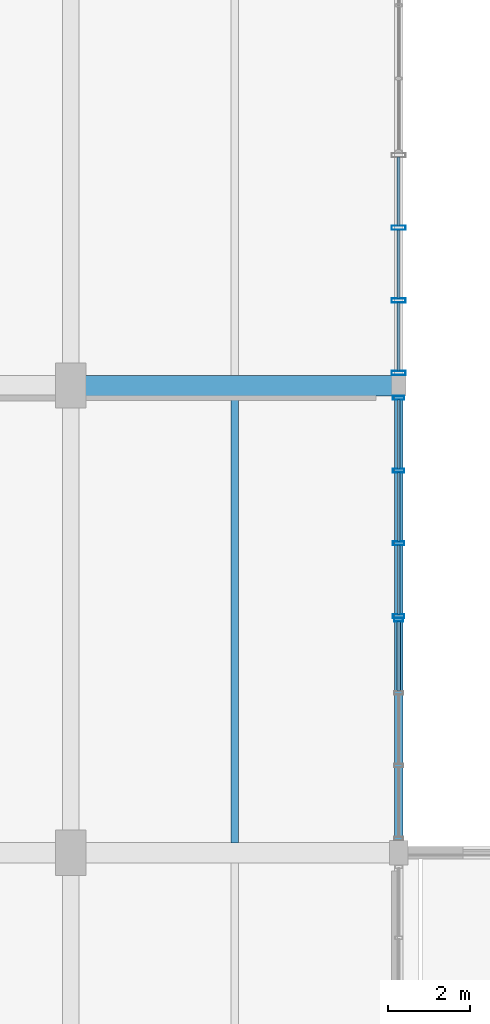
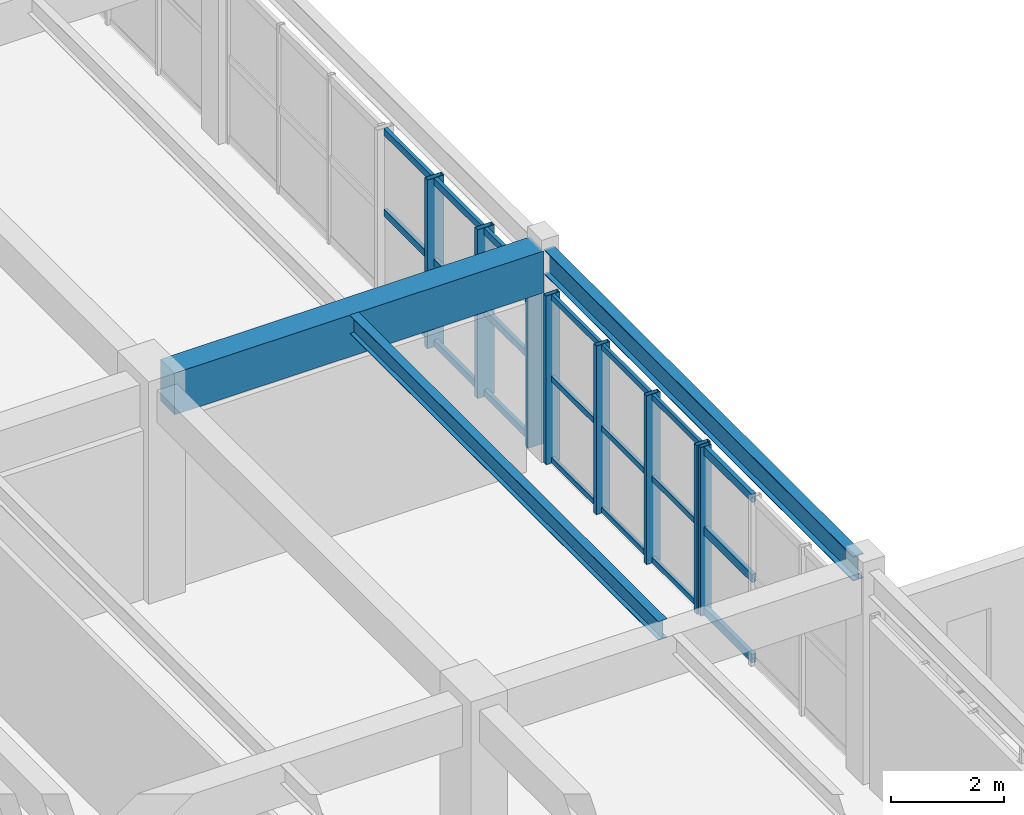
# One storey, part 22 of 106: 29 members, 3 beams, 3 elements without a shape of their own.
"""IFC4 building model written with IfcOpenShell, lengths in metres."""

from ifc_helpers import new_model, si_unit, direction, frame, origin, origin_2d, place, context, subcontext, project, spatial, rectangle, hollow_rectangle, i_section, extrude, material, layer, layer_set, material_profile, profile_set, type_object, element, aggregate, save


model = new_model("IFC4")

# Units and contexts
model_context = context("Model", 3, precision=1e-05, world=origin(), true_north=direction((0.0, 1.0)))
body_context = subcontext(model_context, "Body", "Model", "MODEL_VIEW")
ifc_project = project(units=[si_unit("LENGTHUNIT", "METRE"), si_unit("AREAUNIT", "SQUARE_METRE"), si_unit("VOLUMEUNIT", "CUBIC_METRE"), si_unit("PLANEANGLEUNIT", "RADIAN"), si_unit("MASSUNIT", "GRAM", prefix="KILO"), si_unit("POWERUNIT", "WATT"), si_unit("THERMODYNAMICTEMPERATUREUNIT", "KELVIN")], contexts=[model_context])

# Site, building, storey
site_placement = place(None, origin())
site = spatial("IfcSite", under=ifc_project, at=site_placement, CompositionType="ELEMENT")
building_placement = place(site_placement, origin())
building = spatial("IfcBuilding", under=site, at=building_placement, Name="Kelmbourne Parkland Aquatics Centre", CompositionType="ELEMENT")
storey_placement = place(building_placement, frame((0.0, 0.0, 5.39990234375)))
storey = spatial("IfcBuildingStorey", under=building, at=storey_placement, Name="L01", CompositionType="ELEMENT", Elevation=5.39990234375)

# Beams
ifc_material_1 = material(Name="Concrete C40/50", Category="concrete")
ifc_material_profile_1 = material_profile(ifc_material_1, rectangle(XDim=0.5, YDim=0.89990234375, at=origin_2d()), Name="RC 500x900")
ifc_profile_set_1 = profile_set([ifc_material_profile_1], Name="Concrete C40/50")
beam_type_1 = type_object("IfcBeamType", Name="BM-G03", PredefinedType="BEAM", material=ifc_profile_set_1)
beam_1_placement = place(storey_placement, frame((32.330078125, 23.60009765625, 4.110107421875), z_axis=(1.0, 0.0, 0.0), x_axis=(0.0, 1.0, 0.0)))
element("IfcBeam", 1, at=beam_1_placement, inside=storey, type_object=beam_type_1, Name="Primary girder E-F Grid 04 (L02)", PredefinedType="BEAM", context=body_context, shape_type="SweptSolid", body=[
    extrude(rectangle(XDim=0.5, YDim=0.89990234375, at=origin_2d()), origin(), (0.0, 0.0, 1.0), 7.5400390625),
])
ifc_material_2 = material(Name="Structural steel AS/NZS 3679.1 Grade 300", Category="steel")
ifc_material_profile_2 = material_profile(ifc_material_2, i_section(OverallWidth=0.177978515625, OverallDepth=0.406005859375, WebThickness=0.0078125, FlangeThickness=0.0126953125, at=origin_2d()), Name="410UB59.7")
ifc_profile_set_2 = profile_set([ifc_material_profile_2], Name="Structural steel AS/NZS 3679.1 Grade 300")
beam_type_2 = type_object("IfcBeamType", Name="BM-J01", PredefinedType="JOIST", material=ifc_profile_set_2)
beam_2_placement = place(storey_placement, frame((36.0, 12.44189453125, 4.357177734375), z_axis=(0.0, 1.0, 0.0), x_axis=(-1.0, 0.0, 0.0)))
element("IfcBeam", 2, at=beam_2_placement, inside=storey, type_object=beam_type_2, Name="Secondary floor joist E-F/03-04 #1 (L02)", PredefinedType="JOIST", context=body_context, shape_type="SweptSolid", body=[
    extrude(i_section(OverallWidth=0.177978515625, OverallDepth=0.406005859375, WebThickness=0.0078125, FlangeThickness=0.0126953125, at=origin_2d()), origin(), (0.0, 0.0, 1.0), 10.916015625),
])
ifc_material_profile_3 = material_profile(ifc_material_2, i_section(OverallWidth=0.208984375, OverallDepth=0.532958984375, WebThickness=0.01025390625, FlangeThickness=0.015625, at=origin_2d()), Name="530UB92.4")
ifc_profile_set_3 = profile_set([ifc_material_profile_3], Name="Structural steel AS/NZS 3679.1 Grade 300")
beam_type_3 = type_object("IfcBeamType", Name="BM-SP02", PredefinedType="SPANDREL", material=ifc_profile_set_3)
beam_3_placement = place(storey_placement, frame((40.0, 12.455078125, 4.293701171875), z_axis=(0.0, 1.0, 0.0), x_axis=(-1.0, 0.0, 0.0)))
element("IfcBeam", 3, at=beam_3_placement, inside=storey, type_object=beam_type_3, Name="Perimeter spandrel 03-04 Grid F (L02)", PredefinedType="SPANDREL", context=body_context, shape_type="SweptSolid", body=[
    extrude(i_section(OverallWidth=0.208984375, OverallDepth=0.532958984375, WebThickness=0.01025390625, FlangeThickness=0.015625, at=origin_2d()), origin(), (0.0, 0.0, 1.0), 10.93994140625),
])

# Curtain wall, member
ifc_material_3 = material(Name="Thermally broken anodised aluminium framing", Category="aluminium")
ifc_layer_1 = layer(ifc_material_3, 0.179931640625)
ifc_layer_set_1 = layer_set([ifc_layer_1], Name="Thermally broken anodised aluminium framing")
curtain_wall_type_1 = type_object("IfcCurtainWallType", Name="CW-11", PredefinedType="NOTDEFINED", material=ifc_layer_set_1)
curtain_wall_1_placement = place(storey_placement, origin())
curtain_wall_1 = element("IfcCurtainWall", 4, at=curtain_wall_1_placement, inside=storey, type_object=curtain_wall_type_1, Name="Facade curtain wall CW-L01-227", PredefinedType="NOTDEFINED")
ifc_material_profile_4 = material_profile(ifc_material_3, hollow_rectangle(XDim=0.0849609375, YDim=0.219970703125, WallThickness=0.0048828125, at=origin_2d()), Name="CW-M 85x220")
ifc_profile_set_4 = profile_set([ifc_material_profile_4], Name="Thermally broken anodised aluminium framing")
member_type_1 = type_object("IfcMemberType", Name="MB-MUL-3", PredefinedType="MULLION", material=ifc_profile_set_4)
member_1_placement = place(storey_placement, frame((40.0, 17.882568359375, 0.0), z_axis=(0.0, 0.0, 1.0), x_axis=(0.0, 1.0, 0.0)))
member_1 = element("IfcMember", 5, at=member_1_placement, type_object=member_type_1, Name="CW-L01-227 mullion 3", PredefinedType="MULLION", context=body_context, shape_type="SweptSolid", body=[
    extrude(hollow_rectangle(XDim=0.0849609375, YDim=0.219970703125, WallThickness=0.0048828125, at=origin_2d()), origin(), (0.0, 0.0, 1.0), 3.64501953125),
])

# Curtain wall, members
ifc_layer_2 = layer(ifc_material_3, 0.179931640625)
ifc_layer_set_2 = layer_set([ifc_layer_2], Name="Thermally broken anodised aluminium framing")
curtain_wall_type_2 = type_object("IfcCurtainWallType", Name="CW-12", PredefinedType="NOTDEFINED", material=ifc_layer_set_2)
curtain_wall_2_placement = place(storey_placement, origin())
curtain_wall_2 = element("IfcCurtainWall", 6, at=curtain_wall_2_placement, inside=storey, type_object=curtain_wall_type_2, Name="Facade curtain wall CW-L01-228", PredefinedType="NOTDEFINED")
ifc_material_profile_5 = material_profile(ifc_material_3, hollow_rectangle(XDim=0.094970703125, YDim=0.280029296875, WallThickness=0.005615234375, at=origin_2d()), Name="CW-M 95x280")
ifc_profile_set_5 = profile_set([ifc_material_profile_5], Name="Thermally broken anodised aluminium framing")
member_type_2 = type_object("IfcMemberType", Name="MB-MUL-4", PredefinedType="MULLION", material=ifc_profile_set_5)
member_2_placement = place(storey_placement, frame((40.0, 17.972412109375, 0.0), z_axis=(0.0, 0.0, 1.0), x_axis=(0.0, 1.0, 0.0)))
member_2 = element("IfcMember", 7, at=member_2_placement, type_object=member_type_2, Name="CW-L01-228 mullion 0", PredefinedType="MULLION", context=body_context, shape_type="SweptSolid", body=[
    extrude(hollow_rectangle(XDim=0.094970703125, YDim=0.280029296875, WallThickness=0.005615234375, at=origin_2d()), origin(), (0.0, 0.0, 1.0), 3.64501953125),
])
member_3_placement = place(storey_placement, frame((40.0, 19.74853515625, 0.0), z_axis=(0.0, 0.0, 1.0), x_axis=(0.0, 1.0, 0.0)))
member_3 = element("IfcMember", 8, at=member_3_placement, type_object=member_type_2, Name="CW-L01-228 mullion 1", PredefinedType="MULLION", context=body_context, shape_type="SweptSolid", body=[
    extrude(hollow_rectangle(XDim=0.094970703125, YDim=0.280029296875, WallThickness=0.005615234375, at=origin_2d()), origin(), (0.0, 0.0, 1.0), 3.64501953125),
])
member_4_placement = place(storey_placement, frame((40.0, 21.5244140625, 0.0), z_axis=(0.0, 0.0, 1.0), x_axis=(0.0, 1.0, 0.0)))
member_4 = element("IfcMember", 9, at=member_4_placement, type_object=member_type_2, Name="CW-L01-228 mullion 2", PredefinedType="MULLION", context=body_context, shape_type="SweptSolid", body=[
    extrude(hollow_rectangle(XDim=0.094970703125, YDim=0.280029296875, WallThickness=0.005615234375, at=origin_2d()), origin(), (0.0, 0.0, 1.0), 3.64501953125),
])
member_5_placement = place(storey_placement, frame((40.0, 23.300537109375, 0.0), z_axis=(0.0, 0.0, 1.0), x_axis=(0.0, 1.0, 0.0)))
member_5 = element("IfcMember", 10, at=member_5_placement, type_object=member_type_2, Name="CW-L01-228 mullion 3", PredefinedType="MULLION", context=body_context, shape_type="SweptSolid", body=[
    extrude(hollow_rectangle(XDim=0.094970703125, YDim=0.280029296875, WallThickness=0.005615234375, at=origin_2d()), origin(), (0.0, 0.0, 1.0), 3.64501953125),
])

ifc_layer_3 = layer(ifc_material_3, 0.179931640625)
ifc_layer_set_3 = layer_set([ifc_layer_3], Name="Thermally broken anodised aluminium framing")
curtain_wall_type_3 = type_object("IfcCurtainWallType", Name="CW-13", PredefinedType="NOTDEFINED", material=ifc_layer_set_3)
curtain_wall_3_placement = place(storey_placement, origin())
curtain_wall_3 = element("IfcCurtainWall", 11, at=curtain_wall_3_placement, inside=storey, type_object=curtain_wall_type_3, Name="Facade curtain wall CW-L01-229", PredefinedType="NOTDEFINED")
ifc_material_profile_6 = material_profile(ifc_material_3, hollow_rectangle(XDim=0.10498046875, YDim=0.340087890625, WallThickness=0.006103515625, at=origin_2d()), Name="CW-M 105x340")
ifc_profile_set_6 = profile_set([ifc_material_profile_6], Name="Thermally broken anodised aluminium framing")
member_type_3 = type_object("IfcMemberType", Name="MB-MUL-5", PredefinedType="MULLION", material=ifc_profile_set_6)
member_6_placement = place(storey_placement, frame((40.0, 23.904541015625, 0.0), z_axis=(0.0, 0.0, 1.0), x_axis=(0.0, 1.0, 0.0)))
member_6 = element("IfcMember", 12, at=member_6_placement, type_object=member_type_3, Name="CW-L01-229 mullion 0", PredefinedType="MULLION", context=body_context, shape_type="SweptSolid", body=[
    extrude(hollow_rectangle(XDim=0.10498046875, YDim=0.340087890625, WallThickness=0.006103515625, at=origin_2d()), origin(), (0.0, 0.0, 1.0), 3.64501953125),
])
member_7_placement = place(storey_placement, frame((40.0, 25.67724609375, 0.0), z_axis=(0.0, 0.0, 1.0), x_axis=(0.0, 1.0, 0.0)))
member_7 = element("IfcMember", 13, at=member_7_placement, type_object=member_type_3, Name="CW-L01-229 mullion 1", PredefinedType="MULLION", context=body_context, shape_type="SweptSolid", body=[
    extrude(hollow_rectangle(XDim=0.10498046875, YDim=0.340087890625, WallThickness=0.006103515625, at=origin_2d()), origin(), (0.0, 0.0, 1.0), 3.64501953125),
])
member_8_placement = place(storey_placement, frame((40.0, 27.44970703125, 0.0), z_axis=(0.0, 0.0, 1.0), x_axis=(0.0, 1.0, 0.0)))
member_8 = element("IfcMember", 14, at=member_8_placement, type_object=member_type_3, Name="CW-L01-229 mullion 2", PredefinedType="MULLION", context=body_context, shape_type="SweptSolid", body=[
    extrude(hollow_rectangle(XDim=0.10498046875, YDim=0.340087890625, WallThickness=0.006103515625, at=origin_2d()), origin(), (0.0, 0.0, 1.0), 3.64501953125),
])

# Member
ifc_material_profile_7 = material_profile(ifc_material_3, hollow_rectangle(XDim=0.06494140625, YDim=0.1201171875, WallThickness=0.00341796875, at=origin_2d()), Name="CW-T 65x120")
ifc_profile_set_7 = profile_set([ifc_material_profile_7], Name="Thermally broken anodised aluminium framing")
member_type_4 = type_object("IfcMemberType", Name="MB-TRN-1", PredefinedType="USERDEFINED", material=ifc_profile_set_7)
member_9_placement = place(storey_placement, frame((40.0, 18.01611328125, 0.06298828125), z_axis=(0.0, 1.0, 0.0), x_axis=(-1.0, 0.0, 0.0)))
member_9 = element("IfcMember", 15, at=member_9_placement, type_object=member_type_4, Name="CW-L01-228 transom 0-0", ObjectType="TRANSOM", PredefinedType="USERDEFINED", context=body_context, shape_type="SweptSolid", body=[
    extrude(hollow_rectangle(XDim=0.06494140625, YDim=0.1201171875, WallThickness=0.00341796875, at=origin_2d()), origin(), (0.0, 0.0, 1.0), 1.68896484375),
])

member_10_placement = place(storey_placement, frame((40.0, 19.7919921875, 0.06298828125), z_axis=(0.0, 1.0, 0.0), x_axis=(-1.0, 0.0, 0.0)))
member_10 = element("IfcMember", 16, at=member_10_placement, type_object=member_type_4, Name="CW-L01-228 transom 0-1", ObjectType="TRANSOM", PredefinedType="USERDEFINED", context=body_context, shape_type="SweptSolid", body=[
    extrude(hollow_rectangle(XDim=0.06494140625, YDim=0.1201171875, WallThickness=0.00341796875, at=origin_2d()), origin(), (0.0, 0.0, 1.0), 1.68896484375),
])

member_11_placement = place(storey_placement, frame((40.0, 21.568115234375, 0.06298828125), z_axis=(0.0, 1.0, 0.0), x_axis=(-1.0, 0.0, 0.0)))
member_11 = element("IfcMember", 17, at=member_11_placement, type_object=member_type_4, Name="CW-L01-228 transom 0-2", ObjectType="TRANSOM", PredefinedType="USERDEFINED", context=body_context, shape_type="SweptSolid", body=[
    extrude(hollow_rectangle(XDim=0.06494140625, YDim=0.1201171875, WallThickness=0.00341796875, at=origin_2d()), origin(), (0.0, 0.0, 1.0), 1.68896484375),
])

member_12_placement = place(storey_placement, frame((40.0, 18.01611328125, 1.822509765625), z_axis=(0.0, 1.0, 0.0), x_axis=(-1.0, 0.0, 0.0)))
member_12 = element("IfcMember", 18, at=member_12_placement, type_object=member_type_4, Name="CW-L01-228 transom 1-0", ObjectType="TRANSOM", PredefinedType="USERDEFINED", context=body_context, shape_type="SweptSolid", body=[
    extrude(hollow_rectangle(XDim=0.06494140625, YDim=0.1201171875, WallThickness=0.00341796875, at=origin_2d()), origin(), (0.0, 0.0, 1.0), 1.68896484375),
])

member_13_placement = place(storey_placement, frame((40.0, 19.7919921875, 1.822509765625), z_axis=(0.0, 1.0, 0.0), x_axis=(-1.0, 0.0, 0.0)))
member_13 = element("IfcMember", 19, at=member_13_placement, type_object=member_type_4, Name="CW-L01-228 transom 1-1", ObjectType="TRANSOM", PredefinedType="USERDEFINED", context=body_context, shape_type="SweptSolid", body=[
    extrude(hollow_rectangle(XDim=0.06494140625, YDim=0.1201171875, WallThickness=0.00341796875, at=origin_2d()), origin(), (0.0, 0.0, 1.0), 1.68896484375),
])

member_14_placement = place(storey_placement, frame((40.0, 21.568115234375, 1.822509765625), z_axis=(0.0, 1.0, 0.0), x_axis=(-1.0, 0.0, 0.0)))
member_14 = element("IfcMember", 20, at=member_14_placement, type_object=member_type_4, Name="CW-L01-228 transom 1-2", ObjectType="TRANSOM", PredefinedType="USERDEFINED", context=body_context, shape_type="SweptSolid", body=[
    extrude(hollow_rectangle(XDim=0.06494140625, YDim=0.1201171875, WallThickness=0.00341796875, at=origin_2d()), origin(), (0.0, 0.0, 1.0), 1.68896484375),
])

member_15_placement = place(storey_placement, frame((40.0, 18.01611328125, 3.58203125), z_axis=(0.0, 1.0, 0.0), x_axis=(-1.0, 0.0, 0.0)))
member_15 = element("IfcMember", 21, at=member_15_placement, type_object=member_type_4, Name="CW-L01-228 transom 2-0", ObjectType="TRANSOM", PredefinedType="USERDEFINED", context=body_context, shape_type="SweptSolid", body=[
    extrude(hollow_rectangle(XDim=0.06494140625, YDim=0.1201171875, WallThickness=0.00341796875, at=origin_2d()), origin(), (0.0, 0.0, 1.0), 1.68896484375),
])

member_16_placement = place(storey_placement, frame((40.0, 19.7919921875, 3.58203125), z_axis=(0.0, 1.0, 0.0), x_axis=(-1.0, 0.0, 0.0)))
member_16 = element("IfcMember", 22, at=member_16_placement, type_object=member_type_4, Name="CW-L01-228 transom 2-1", ObjectType="TRANSOM", PredefinedType="USERDEFINED", context=body_context, shape_type="SweptSolid", body=[
    extrude(hollow_rectangle(XDim=0.06494140625, YDim=0.1201171875, WallThickness=0.00341796875, at=origin_2d()), origin(), (0.0, 0.0, 1.0), 1.68896484375),
])

member_17_placement = place(storey_placement, frame((40.0, 21.568115234375, 3.58203125), z_axis=(0.0, 1.0, 0.0), x_axis=(-1.0, 0.0, 0.0)))
member_17 = element("IfcMember", 23, at=member_17_placement, type_object=member_type_4, Name="CW-L01-228 transom 2-2", ObjectType="TRANSOM", PredefinedType="USERDEFINED", context=body_context, shape_type="SweptSolid", body=[
    extrude(hollow_rectangle(XDim=0.06494140625, YDim=0.1201171875, WallThickness=0.00341796875, at=origin_2d()), origin(), (0.0, 0.0, 1.0), 1.68896484375),
])

aggregate(curtain_wall_2, [member_2, member_3, member_4, member_5, member_9, member_10, member_11, member_12, member_13, member_14, member_15, member_16, member_17])

ifc_material_profile_8 = material_profile(ifc_material_3, hollow_rectangle(XDim=0.074951171875, YDim=0.14990234375, WallThickness=0.00390625, at=origin_2d()), Name="CW-T 75x150")
ifc_profile_set_8 = profile_set([ifc_material_profile_8], Name="Thermally broken anodised aluminium framing")
member_type_5 = type_object("IfcMemberType", Name="MB-TRN-2", PredefinedType="USERDEFINED", material=ifc_profile_set_8)
member_18_placement = place(storey_placement, frame((40.0, 23.952880859375, 0.078125), z_axis=(0.0, 1.0, 0.0), x_axis=(-1.0, 0.0, 0.0)))
member_18 = element("IfcMember", 24, at=member_18_placement, type_object=member_type_5, Name="CW-L01-229 transom 0-0", ObjectType="TRANSOM", PredefinedType="USERDEFINED", context=body_context, shape_type="SweptSolid", body=[
    extrude(hollow_rectangle(XDim=0.074951171875, YDim=0.14990234375, WallThickness=0.00390625, at=origin_2d()), origin(), (0.0, 0.0, 1.0), 1.67578125),
])

member_19_placement = place(storey_placement, frame((40.0, 25.7255859375, 0.078125), z_axis=(0.0, 1.0, 0.0), x_axis=(-1.0, 0.0, 0.0)))
member_19 = element("IfcMember", 25, at=member_19_placement, type_object=member_type_5, Name="CW-L01-229 transom 0-1", ObjectType="TRANSOM", PredefinedType="USERDEFINED", context=body_context, shape_type="SweptSolid", body=[
    extrude(hollow_rectangle(XDim=0.074951171875, YDim=0.14990234375, WallThickness=0.00390625, at=origin_2d()), origin(), (0.0, 0.0, 1.0), 1.67578125),
])

member_20_placement = place(storey_placement, frame((40.0, 27.498291015625, 0.078125), z_axis=(0.0, 1.0, 0.0), x_axis=(-1.0, 0.0, 0.0)))
member_20 = element("IfcMember", 26, at=member_20_placement, type_object=member_type_5, Name="CW-L01-229 transom 0-2", ObjectType="TRANSOM", PredefinedType="USERDEFINED", context=body_context, shape_type="SweptSolid", body=[
    extrude(hollow_rectangle(XDim=0.074951171875, YDim=0.14990234375, WallThickness=0.00390625, at=origin_2d()), origin(), (0.0, 0.0, 1.0), 1.67578125),
])

member_21_placement = place(storey_placement, frame((40.0, 23.952880859375, 1.822509765625), z_axis=(0.0, 1.0, 0.0), x_axis=(-1.0, 0.0, 0.0)))
member_21 = element("IfcMember", 27, at=member_21_placement, type_object=member_type_5, Name="CW-L01-229 transom 1-0", ObjectType="TRANSOM", PredefinedType="USERDEFINED", context=body_context, shape_type="SweptSolid", body=[
    extrude(hollow_rectangle(XDim=0.074951171875, YDim=0.14990234375, WallThickness=0.00390625, at=origin_2d()), origin(), (0.0, 0.0, 1.0), 1.67578125),
])

member_22_placement = place(storey_placement, frame((40.0, 25.7255859375, 1.822509765625), z_axis=(0.0, 1.0, 0.0), x_axis=(-1.0, 0.0, 0.0)))
member_22 = element("IfcMember", 28, at=member_22_placement, type_object=member_type_5, Name="CW-L01-229 transom 1-1", ObjectType="TRANSOM", PredefinedType="USERDEFINED", context=body_context, shape_type="SweptSolid", body=[
    extrude(hollow_rectangle(XDim=0.074951171875, YDim=0.14990234375, WallThickness=0.00390625, at=origin_2d()), origin(), (0.0, 0.0, 1.0), 1.67578125),
])

member_23_placement = place(storey_placement, frame((40.0, 27.498291015625, 1.822509765625), z_axis=(0.0, 1.0, 0.0), x_axis=(-1.0, 0.0, 0.0)))
member_23 = element("IfcMember", 29, at=member_23_placement, type_object=member_type_5, Name="CW-L01-229 transom 1-2", ObjectType="TRANSOM", PredefinedType="USERDEFINED", context=body_context, shape_type="SweptSolid", body=[
    extrude(hollow_rectangle(XDim=0.074951171875, YDim=0.14990234375, WallThickness=0.00390625, at=origin_2d()), origin(), (0.0, 0.0, 1.0), 1.67578125),
])

member_24_placement = place(storey_placement, frame((40.0, 23.952880859375, 3.567138671875), z_axis=(0.0, 1.0, 0.0), x_axis=(-1.0, 0.0, 0.0)))
member_24 = element("IfcMember", 30, at=member_24_placement, type_object=member_type_5, Name="CW-L01-229 transom 2-0", ObjectType="TRANSOM", PredefinedType="USERDEFINED", context=body_context, shape_type="SweptSolid", body=[
    extrude(hollow_rectangle(XDim=0.074951171875, YDim=0.14990234375, WallThickness=0.00390625, at=origin_2d()), origin(), (0.0, 0.0, 1.0), 1.67578125),
])

member_25_placement = place(storey_placement, frame((40.0, 25.7255859375, 3.567138671875), z_axis=(0.0, 1.0, 0.0), x_axis=(-1.0, 0.0, 0.0)))
member_25 = element("IfcMember", 31, at=member_25_placement, type_object=member_type_5, Name="CW-L01-229 transom 2-1", ObjectType="TRANSOM", PredefinedType="USERDEFINED", context=body_context, shape_type="SweptSolid", body=[
    extrude(hollow_rectangle(XDim=0.074951171875, YDim=0.14990234375, WallThickness=0.00390625, at=origin_2d()), origin(), (0.0, 0.0, 1.0), 1.67578125),
])

member_26_placement = place(storey_placement, frame((40.0, 27.498291015625, 3.567138671875), z_axis=(0.0, 1.0, 0.0), x_axis=(-1.0, 0.0, 0.0)))
member_26 = element("IfcMember", 32, at=member_26_placement, type_object=member_type_5, Name="CW-L01-229 transom 2-2", ObjectType="TRANSOM", PredefinedType="USERDEFINED", context=body_context, shape_type="SweptSolid", body=[
    extrude(hollow_rectangle(XDim=0.074951171875, YDim=0.14990234375, WallThickness=0.00390625, at=origin_2d()), origin(), (0.0, 0.0, 1.0), 1.67578125),
])

aggregate(curtain_wall_3, [member_6, member_7, member_8, member_18, member_19, member_20, member_21, member_22, member_23, member_24, member_25, member_26])

ifc_material_profile_9 = material_profile(ifc_material_3, hollow_rectangle(XDim=0.0849609375, YDim=0.179931640625, WallThickness=0.00439453125, at=origin_2d()), Name="CW-T 85x180")
ifc_profile_set_9 = profile_set([ifc_material_profile_9], Name="Thermally broken anodised aluminium framing")
member_type_6 = type_object("IfcMemberType", Name="MB-TRN-3", PredefinedType="USERDEFINED", material=ifc_profile_set_9)
member_27_placement = place(storey_placement, frame((40.0, 16.1416015625, 0.093017578125), z_axis=(0.0, 1.0, 0.0), x_axis=(-1.0, 0.0, 0.0)))
member_27 = element("IfcMember", 33, at=member_27_placement, type_object=member_type_6, Name="CW-L01-227 transom 0-2", ObjectType="TRANSOM", PredefinedType="USERDEFINED", context=body_context, shape_type="SweptSolid", body=[
    extrude(hollow_rectangle(XDim=0.0849609375, YDim=0.179931640625, WallThickness=0.00439453125, at=origin_2d()), origin(), (0.0, 0.0, 1.0), 1.702392578125),
])

member_28_placement = place(storey_placement, frame((40.0, 16.1416015625, 1.822509765625), z_axis=(0.0, 1.0, 0.0), x_axis=(-1.0, 0.0, 0.0)))
member_28 = element("IfcMember", 34, at=member_28_placement, type_object=member_type_6, Name="CW-L01-227 transom 1-2", ObjectType="TRANSOM", PredefinedType="USERDEFINED", context=body_context, shape_type="SweptSolid", body=[
    extrude(hollow_rectangle(XDim=0.0849609375, YDim=0.179931640625, WallThickness=0.00439453125, at=origin_2d()), origin(), (0.0, 0.0, 1.0), 1.702392578125),
])

member_29_placement = place(storey_placement, frame((40.0, 16.1416015625, 3.552001953125), z_axis=(0.0, 1.0, 0.0), x_axis=(-1.0, 0.0, 0.0)))
member_29 = element("IfcMember", 35, at=member_29_placement, type_object=member_type_6, Name="CW-L01-227 transom 2-2", ObjectType="TRANSOM", PredefinedType="USERDEFINED", context=body_context, shape_type="SweptSolid", body=[
    extrude(hollow_rectangle(XDim=0.0849609375, YDim=0.179931640625, WallThickness=0.00439453125, at=origin_2d()), origin(), (0.0, 0.0, 1.0), 1.702392578125),
])

aggregate(curtain_wall_1, [member_1, member_27, member_28, member_29])

save(model, "model.ifc")
